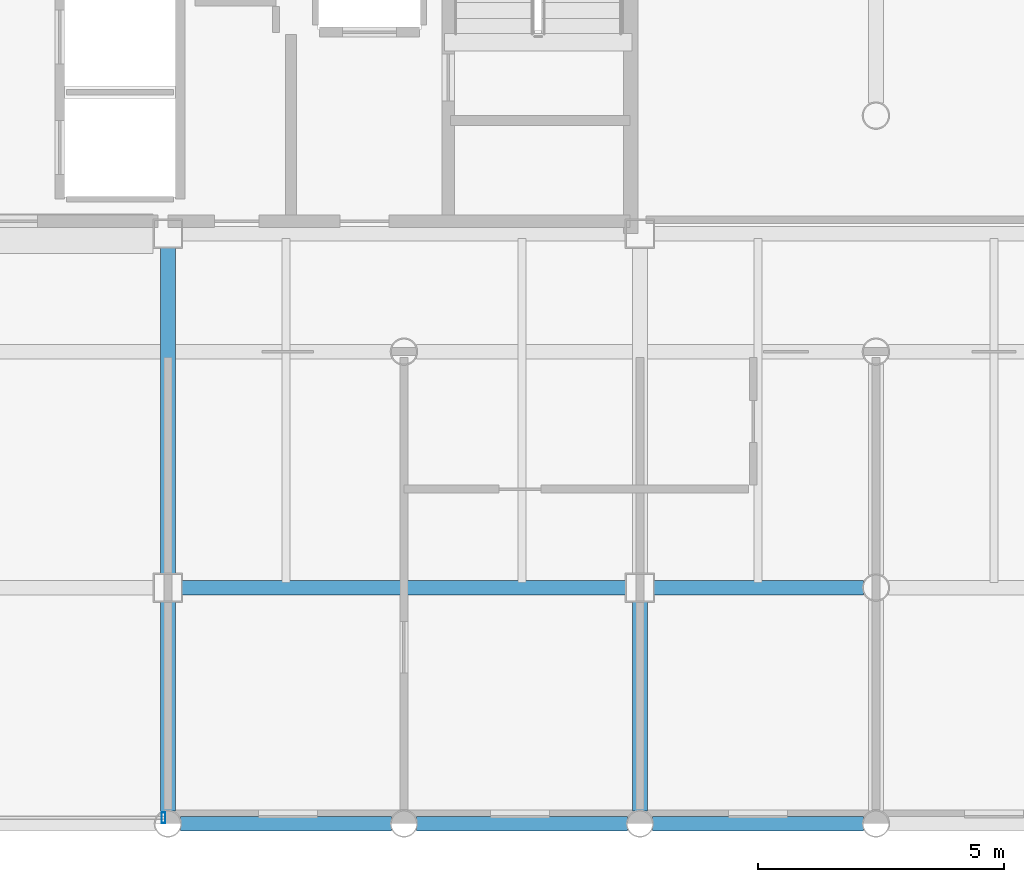
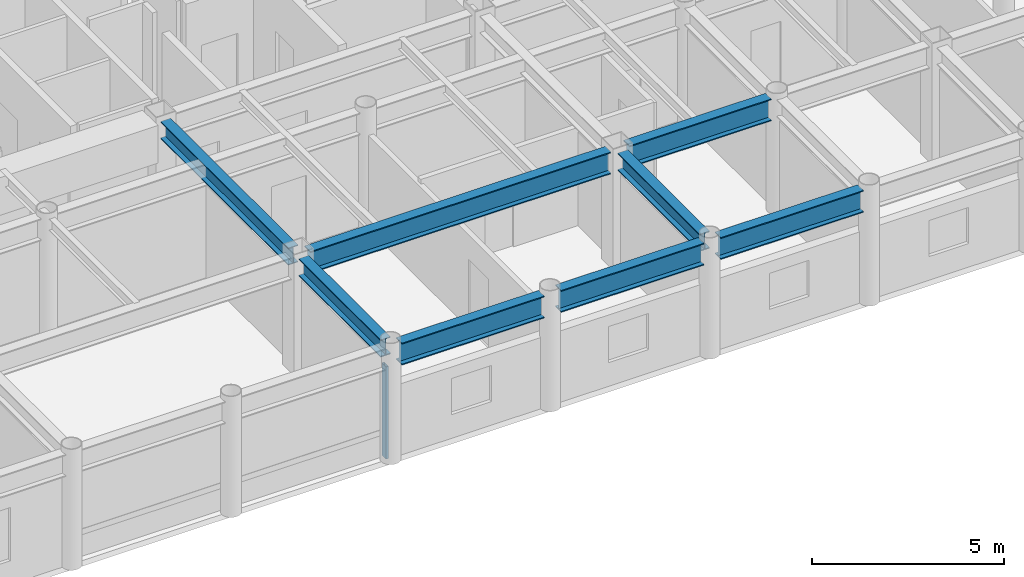
# One storey, part 8 of 22: 8 beams, 1 member, 1 element without a shape of its own.
"""IFC4 building model written with IfcOpenShell, lengths in metres."""

import ifcopenshell
import ifcopenshell.guid

model = None  # the IFC model being written
_history = None  # IfcOwnerHistory: only IFC2X3 demands one
_inside = {}  # id of a spatial element -> (the spatial element, [elements in it])
_under = {}  # id of a project, library or spatial element -> (it, [spatial elements below it])
_declared = {}  # id of a project -> (the project, [libraries it declares])
_typed = {}  # id of a type object -> (the type object, [elements of that type])
_made_of = {}  # id of a material, layer set ... -> (it, [elements and type objects made of it])


def new_model(schema):
    """Start an empty IFC model of exactly this schema.

    Asked for "IFC4X3", IfcOpenShell would pick the latest addendum, in which some entities
    have other attributes; the version numbers below select the first issue.
    IFC2X3 requires an IfcOwnerHistory on every rooted entity: one is made here for all.
    """
    global model, _history
    if schema == "IFC4X3":
        model = ifcopenshell.file(schema_version=(4, 3, 0, 0))
    else:
        model = ifcopenshell.file(schema=schema)
    _inside.clear()
    _under.clear()
    _declared.clear()
    _typed.clear()
    _made_of.clear()
    _history = None
    if model.schema == "IFC2X3":
        org = make("IfcOrganization", Name="unknown")
        user = make(
            "IfcPersonAndOrganization",
            ThePerson=make("IfcPerson", FamilyName="unknown"),
            TheOrganization=org,
        )
        app = make(
            "IfcApplication",
            ApplicationDeveloper=org,
            Version="unknown",
            ApplicationFullName="unknown",
            ApplicationIdentifier="unknown",
        )
        _history = make(
            "IfcOwnerHistory",
            OwningUser=user,
            OwningApplication=app,
            ChangeAction="ADDED",
            CreationDate=0,
        )
    return model


def make(cls, **values):
    """One entity of the class cls with the attributes given. An attribute that is None is left unset."""
    return model.create_entity(
        cls, **{name: value for name, value in values.items() if value is not None}
    )


def rooted(cls, **values):
    """An entity with a GlobalId (a new one), such as an element, a storey or a relation."""
    return make(cls, GlobalId=ifcopenshell.guid.new(), OwnerHistory=_history, **values)


def si_unit(unit_type, name, prefix=None):
    """IfcSIUnit, for example si_unit("LENGTHUNIT", "METRE", prefix="MILLI")."""
    return make("IfcSIUnit", UnitType=unit_type, Prefix=prefix, Name=name)


def assignment(units):
    """IfcUnitAssignment: the units of a project."""
    return None if units is None else make("IfcUnitAssignment", Units=units)


def point(xyz):
    """IfcCartesianPoint."""
    return None if xyz is None else make("IfcCartesianPoint", Coordinates=xyz)


def direction(xyz):
    """IfcDirection."""
    return None if xyz is None else make("IfcDirection", DirectionRatios=xyz)


def frame(location, z_axis=None, x_axis=None):
    """IfcAxis2Placement3D, a coordinate frame: its origin and axes. An axis left out is left unset."""
    return make(
        "IfcAxis2Placement3D",
        Location=point(location),
        Axis=direction(z_axis),
        RefDirection=direction(x_axis),
    )


def frame_2d(location, x_axis=None):
    """IfcAxis2Placement2D, a coordinate frame in the plane: its origin and x axis."""
    return make(
        "IfcAxis2Placement2D", Location=point(location), RefDirection=direction(x_axis)
    )


def origin():
    """The frame at (0, 0, 0) with its axes left unset."""
    return frame((0.0, 0.0, 0.0))


def origin_2d():
    """The frame at (0, 0) in the plane with its x axis left unset."""
    return frame_2d((0.0, 0.0))


def place(relative_to, where):
    """IfcLocalPlacement: puts the frame where relative to a parent placement (None: the world)."""
    return make(
        "IfcLocalPlacement", PlacementRelTo=relative_to, RelativePlacement=where
    )


def context(
    kind, dimensions, precision=None, world=None, true_north=None, identifier=None
):
    """IfcGeometricRepresentationContext, for example the 3D "Model" context."""
    return make(
        "IfcGeometricRepresentationContext",
        ContextIdentifier=identifier,
        ContextType=kind,
        CoordinateSpaceDimension=dimensions,
        Precision=precision,
        WorldCoordinateSystem=world,
        TrueNorth=true_north,
    )


def subcontext(parent, identifier, kind, view, scale=None):
    """IfcGeometricRepresentationSubContext, for example "Body" below "Model"."""
    return make(
        "IfcGeometricRepresentationSubContext",
        ContextIdentifier=identifier,
        ContextType=kind,
        ParentContext=parent,
        TargetScale=scale,
        TargetView=view,
    )


def project(units=None, contexts=None):
    """IfcProject with its units and contexts."""
    return rooted(
        "IfcProject",
        Name="project",
        RepresentationContexts=contexts,
        UnitsInContext=assignment(units),
    )


def spatial(cls, under=None, at=None, **own):
    """A site, building, storey or space (cls), placed at a placement, below another one or the project."""
    s = rooted(cls, ObjectPlacement=at, **own)
    if under is not None:
        _under.setdefault(under.id(), (under, []))[1].append(s)
    return s


def profile(cls, at=None, kind="AREA", **sizes):
    """A parametric profile (cls). Its sizes go by their IFC names, for example OverallWidth=200.0."""
    return make(cls, ProfileType=kind, Position=at, **sizes)


def hollow_rectangle(**sizes):
    """IfcRectangleHollowProfileDef."""
    return profile("IfcRectangleHollowProfileDef", **sizes)


def i_section(**sizes):
    """IfcIShapeProfileDef."""
    return profile("IfcIShapeProfileDef", **sizes)


def extrude(swept, where, along, depth):
    """IfcExtrudedAreaSolid: the profile swept, set in the frame where, extruded along a direction by depth."""
    return make(
        "IfcExtrudedAreaSolid",
        SweptArea=swept,
        Position=where,
        ExtrudedDirection=direction(along),
        Depth=depth,
    )


def shape(context_of_items, identifier, shape_type, items):
    """IfcShapeRepresentation: the items that make up one representation, for example the "Body"."""
    return make(
        "IfcShapeRepresentation",
        ContextOfItems=context_of_items,
        RepresentationIdentifier=identifier,
        RepresentationType=shape_type,
        Items=items,
    )


def material(Name=None, Category=None):
    """IfcMaterial."""
    return make("IfcMaterial", Name=Name, Category=Category)


def layer(
    of_material, thickness, ventilated=None, Name=None, Category=None, Priority=None
):
    """IfcMaterialLayer: one layer of a wall or slab, of a material (None: an air gap)."""
    return make(
        "IfcMaterialLayer",
        Material=of_material,
        LayerThickness=thickness,
        IsVentilated=ventilated,
        Name=Name,
        Category=Category,
        Priority=Priority,
    )


def layer_set(layers, Name=None):
    """IfcMaterialLayerSet."""
    return make("IfcMaterialLayerSet", MaterialLayers=layers, LayerSetName=Name)


def material_profile(
    of_material, cross_section, Name=None, Category=None, Priority=None
):
    """IfcMaterialProfile: a cross section and its material."""
    return make(
        "IfcMaterialProfile",
        Name=Name,
        Material=of_material,
        Profile=cross_section,
        Priority=Priority,
        Category=Category,
    )


def profile_set(profiles, Name=None, composite=None):
    """IfcMaterialProfileSet."""
    return make(
        "IfcMaterialProfileSet",
        Name=Name,
        MaterialProfiles=profiles,
        CompositeProfile=composite,
    )


def made_of(thing, what):
    """Note that an element or type object is made of a material, layer set ...; save() writes the relation."""
    if what is not None:
        _made_of.setdefault(what.id(), (what, []))[1].append(thing)
    return thing


def type_object(cls, material=None, **own):
    """A type object (cls), such as IfcWallType, which elements share."""
    return made_of(rooted(cls, **own), material)


def element(
    cls,
    number,
    at=None,
    inside=None,
    cuts=None,
    type_object=None,
    material=None,
    context=None,
    identifier="Body",
    shape_type=None,
    held_by="IfcProductDefinitionShape",
    body=None,
    shapes=None,
    **own,
):
    """One element of the class cls, such as IfcWall. Its Tag is "e" and its number.

    at: its placement. inside: the storey or other place that contains it. cuts: it is an
    opening in that element (IfcRelVoidsElement). A single representation is given by context,
    identifier, shape_type and body (its items); several are given by shapes. held_by: the class
    of the entity that holds the representations. save() writes the other relations.
    """
    e = rooted(cls, Tag="e%d" % number, ObjectPlacement=at, **own)
    if body is not None:
        shapes = [shape(context, identifier, shape_type, body)]
    if shapes is not None:
        e.Representation = make(held_by, Representations=shapes)
    if inside is not None:
        _inside.setdefault(inside.id(), (inside, []))[1].append(e)
    if cuts is not None:
        rooted(
            "IfcRelVoidsElement", RelatingBuildingElement=cuts, RelatedOpeningElement=e
        )
    if type_object is not None:
        _typed.setdefault(type_object.id(), (type_object, []))[1].append(e)
    return made_of(e, material)


def aggregate(whole, parts):
    """IfcRelAggregates: a whole, such as a stair, and the parts it consists of."""
    return rooted("IfcRelAggregates", RelatingObject=whole, RelatedObjects=parts)


def save(model, path):
    """Write the relations noted so far, then the file.

    IfcRelAggregates (storeys below a building ...), IfcRelContainedInSpatialStructure (elements
    in a storey), IfcRelDefinesByType, IfcRelAssociatesMaterial and IfcRelDeclares: one each for
    every whole, place, type object, material and project.
    """
    for whole, parts in _under.values():
        aggregate(whole, parts)
    for where, things in _inside.values():
        rooted(
            "IfcRelContainedInSpatialStructure",
            RelatedElements=things,
            RelatingStructure=where,
        )
    for kind, things in _typed.values():
        rooted("IfcRelDefinesByType", RelatedObjects=things, RelatingType=kind)
    for what, things in _made_of.values():
        rooted("IfcRelAssociatesMaterial", RelatedObjects=things, RelatingMaterial=what)
    for by, libraries in _declared.values():
        rooted("IfcRelDeclares", RelatingContext=by, RelatedDefinitions=libraries)
    model.write(path)


model = new_model("IFC4")

# Units and contexts
model_context = context("Model", 3, precision=1e-05, world=origin(), true_north=direction((0.0, 1.0)))
body_context = subcontext(model_context, "Body", "Model", "MODEL_VIEW")
ifc_project = project(units=[si_unit("LENGTHUNIT", "METRE"), si_unit("AREAUNIT", "SQUARE_METRE"), si_unit("VOLUMEUNIT", "CUBIC_METRE"), si_unit("PLANEANGLEUNIT", "RADIAN"), si_unit("MASSUNIT", "GRAM", prefix="KILO")], contexts=[model_context])

# Site, building, storey
site_placement = place(None, origin())
site = spatial("IfcSite", under=ifc_project, at=site_placement, CompositionType="ELEMENT")
building_placement = place(site_placement, origin())
building = spatial("IfcBuilding", under=site, at=building_placement, Name="Kallvorn Hotel Tower", CompositionType="ELEMENT")
storey_placement = place(building_placement, frame((0.0, 0.0, 241.550048828125)))
storey = spatial("IfcBuildingStorey", under=building, at=storey_placement, Name="L60", CompositionType="ELEMENT", Elevation=241.550048828125)

# Beams
ifc_material_1 = material(Name="Structural steel S355JR", Category="steel")
ifc_material_profile_1 = material_profile(ifc_material_1, i_section(OverallWidth=0.300048828125, OverallDepth=0.550048828125, WebThickness=0.014892578125, FlangeThickness=0.029052734375, at=origin_2d()), Name="HE 550 B")
ifc_profile_set_1 = profile_set([ifc_material_profile_1], Name="Structural steel S355JR")
beam_type_1 = type_object("IfcBeamType", Name="BM_HE550B", PredefinedType="SPANDREL", material=ifc_profile_set_1)
beam_1_placement = place(storey_placement, frame((4.800048828125, -18.945556640625, 3.39501953125), z_axis=(0.0, 1.0, 0.0), x_axis=(-1.0, 0.0, 0.0)))
element("IfcBeam", 1, at=beam_1_placement, inside=storey, type_object=beam_type_1, Name="L61 Primary Y-Girder 113", PredefinedType="SPANDREL", context=body_context, shape_type="SweptSolid", body=[
    extrude(i_section(OverallWidth=0.300048828125, OverallDepth=0.550048828125, WebThickness=0.014892578125, FlangeThickness=0.029052734375, at=origin_2d()), origin(), (0.0, 0.0, 1.0), 4.2705078125),
])
beam_2_placement = place(storey_placement, frame((4.800048828125, -14.125, 3.39501953125), z_axis=(0.0, 1.0, 0.0), x_axis=(-1.0, 0.0, 0.0)))
element("IfcBeam", 2, at=beam_2_placement, inside=storey, type_object=beam_type_1, Name="L61 Primary Y-Girder 114", PredefinedType="SPANDREL", context=body_context, shape_type="SweptSolid", body=[
    extrude(i_section(OverallWidth=0.300048828125, OverallDepth=0.550048828125, WebThickness=0.014892578125, FlangeThickness=0.029052734375, at=origin_2d()), origin(), (0.0, 0.0, 1.0), 6.64990234375),
])
beam_3_placement = place(storey_placement, frame((14.39990234375, -18.945556640625, 3.39501953125), z_axis=(0.0, 1.0, 0.0), x_axis=(-1.0, 0.0, 0.0)))
element("IfcBeam", 3, at=beam_3_placement, inside=storey, type_object=beam_type_1, Name="L61 Primary Y-Girder 121", PredefinedType="SPANDREL", context=body_context, shape_type="SweptSolid", body=[
    extrude(i_section(OverallWidth=0.300048828125, OverallDepth=0.550048828125, WebThickness=0.014892578125, FlangeThickness=0.029052734375, at=origin_2d()), origin(), (0.0, 0.0, 1.0), 4.2705078125),
])
ifc_material_2 = material(Name="Structural steel S355JR", Category="steel")
ifc_material_profile_2 = material_profile(ifc_material_2, i_section(OverallWidth=0.300048828125, OverallDepth=0.699951171875, WebThickness=0.01708984375, FlangeThickness=0.031982421875, at=origin_2d()), Name="HE 700 B")
ifc_profile_set_2 = profile_set([ifc_material_profile_2], Name="Structural steel S355JR")
beam_type_2 = type_object("IfcBeamType", Name="BM_HE700B", PredefinedType="BEAM", material=ifc_profile_set_2)
for number, where, z_axis, x_axis, name in (
    (4, (5.054443359375, -19.199951171875, 3.320068359375), (1.0, 0.0, 0.0), (0.0, 1.0, 0.0), "L61 Primary X-Girder 08"),
    (5, (9.8544921875, -19.199951171875, 3.320068359375), (1.0, 0.0, 0.0), (0.0, 1.0, 0.0), "L61 Primary X-Girder 09"),
    (6, (14.654541015625, -19.199951171875, 3.320068359375), (1.0, 0.0, 0.0), (0.0, 1.0, 0.0), "L61 Primary X-Girder 10"),
):
    element("IfcBeam", number, at=place(storey_placement, frame(where, z_axis=z_axis, x_axis=x_axis)), inside=storey, type_object=beam_type_2, Name=name, PredefinedType="BEAM", context=body_context, shape_type="SweptSolid", body=[
        extrude(i_section(OverallWidth=0.300048828125, OverallDepth=0.699951171875, WebThickness=0.01708984375, FlangeThickness=0.031982421875, at=origin_2d()), origin(), (0.0, 0.0, 1.0), 4.291015625),
    ])
beam_4_placement = place(storey_placement, frame((5.074951171875, -14.39990234375, 3.320068359375), z_axis=(1.0, 0.0, 0.0), x_axis=(0.0, 1.0, 0.0)))
element("IfcBeam", 7, at=beam_4_placement, inside=storey, type_object=beam_type_2, Name="L61 Primary X-Girder 18", PredefinedType="BEAM", context=body_context, shape_type="SweptSolid", body=[
    extrude(i_section(OverallWidth=0.300048828125, OverallDepth=0.699951171875, WebThickness=0.01708984375, FlangeThickness=0.031982421875, at=origin_2d()), origin(), (0.0, 0.0, 1.0), 9.050048828125),
])
beam_5_placement = place(storey_placement, frame((14.675048828125, -14.39990234375, 3.320068359375), z_axis=(1.0, 0.0, 0.0), x_axis=(0.0, 1.0, 0.0)))
element("IfcBeam", 8, at=beam_5_placement, inside=storey, type_object=beam_type_2, Name="L61 Primary X-Girder 19", PredefinedType="BEAM", context=body_context, shape_type="SweptSolid", body=[
    extrude(i_section(OverallWidth=0.300048828125, OverallDepth=0.699951171875, WebThickness=0.01708984375, FlangeThickness=0.031982421875, at=origin_2d()), origin(), (0.0, 0.0, 1.0), 4.2705078125),
])

# Curtain wall, member
ifc_material_3 = material(Name="Thermally broken black-anodised aluminium AA 6063-T6", Category="aluminium")
ifc_layer = layer(ifc_material_3, 0.22998046875)
ifc_layer_set = layer_set([ifc_layer], Name="CW_SYS_5_HOTEL_HIGH")
curtain_wall_type = type_object("IfcCurtainWallType", Name="CW_SYS_5_HOTEL_HIGH", PredefinedType="USERDEFINED", material=ifc_layer_set)
curtain_wall_placement = place(storey_placement, origin())
curtain_wall = element("IfcCurtainWall", 9, at=curtain_wall_placement, inside=storey, type_object=curtain_wall_type, Name="L60 Dark-Glass Curtain Wall CW-L60-SC", ObjectType="UNITISED CURTAIN WALL", PredefinedType="USERDEFINED")
ifc_material_4 = material(Name="Thermally broken black-anodised aluminium AA 6063-T6", Category="aluminium")
ifc_material_profile_3 = material_profile(ifc_material_4, hollow_rectangle(XDim=0.080078125, YDim=0.219970703125, WallThickness=0.0048828125, at=origin_2d()), Name="MUL 220x80")
ifc_profile_set_3 = profile_set([ifc_material_profile_3], Name="Thermally broken black-anodised aluminium AA 6063-T6")
member_type = type_object("IfcMemberType", Name="CW_MULLION_220x80", PredefinedType="MULLION", material=ifc_profile_set_3)
member_placement = place(storey_placement, frame((4.7099609375, -19.080078125, 0.02001953125), z_axis=(0.0, 0.0, 1.0), x_axis=(1.0, 0.0, 0.0)))
member = element("IfcMember", 10, at=member_placement, type_object=member_type, Name="CW-L60-SC Mullion 02", PredefinedType="MULLION", context=body_context, shape_type="SweptSolid", body=[
    extrude(hollow_rectangle(XDim=0.080078125, YDim=0.219970703125, WallThickness=0.0048828125, at=origin_2d()), origin(), (0.0, 0.0, 1.0), 2.929931640625),
])
aggregate(curtain_wall, [member])

save(model, "model.ifc")
